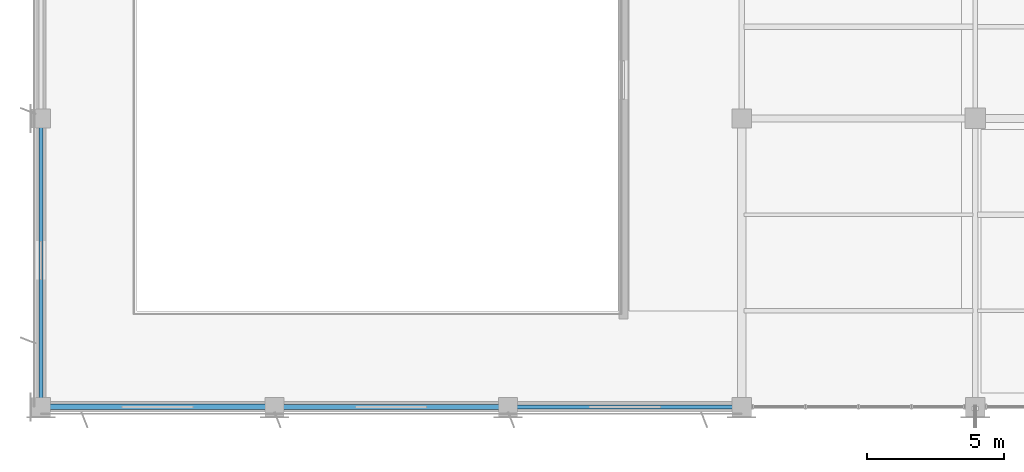
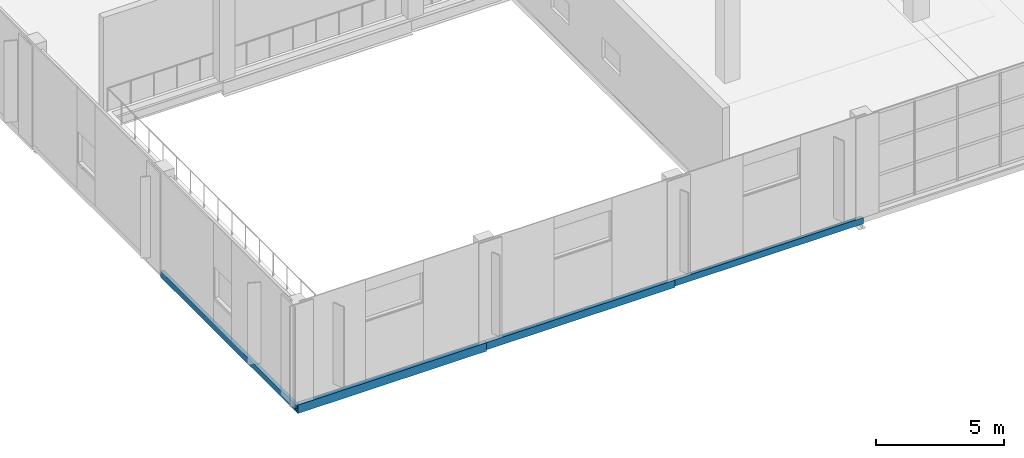
# One storey, part 7 of 101: 4 beams.
"""IFC4 building model written with IfcOpenShell, lengths in metres."""

from ifc_helpers import new_model, si_unit, direction, frame, origin, origin_2d, place, context, subcontext, project, spatial, hollow_rectangle, extrude, material, material_profile, profile_set, type_object, element, save


model = new_model("IFC4")

# Units and contexts
model_context = context("Model", 3, precision=1e-05, world=origin(), true_north=direction((0.0, 1.0)))
body_context = subcontext(model_context, "Body", "Model", "MODEL_VIEW")
ifc_project = project(units=[si_unit("LENGTHUNIT", "METRE"), si_unit("AREAUNIT", "SQUARE_METRE"), si_unit("VOLUMEUNIT", "CUBIC_METRE"), si_unit("PLANEANGLEUNIT", "RADIAN"), si_unit("MASSUNIT", "GRAM", prefix="KILO")], contexts=[model_context])

# Site, building, storey
site_placement = place(None, origin())
site = spatial("IfcSite", under=ifc_project, at=site_placement, CompositionType="ELEMENT")
building_placement = place(site_placement, origin())
building = spatial("IfcBuilding", under=site, at=building_placement, Name="Solvikara Media Centre", CompositionType="ELEMENT")
storey_placement = place(building_placement, frame((0.0, 0.0, 10.199951171875)))
storey = spatial("IfcBuildingStorey", under=building, at=storey_placement, Name="L02", CompositionType="ELEMENT", Elevation=10.199951171875)

# Beams
ifc_material = material(Name="Steel S355JR", Category="steel")
ifc_material_profile_1 = material_profile(ifc_material, hollow_rectangle(XDim=0.199951171875, YDim=0.39990234375, WallThickness=0.011962890625, at=origin_2d()), Name="RHS 400x200x12")
ifc_profile_set_1 = profile_set([ifc_material_profile_1], Name="Steel S355JR")
beam_type_1 = type_object("IfcBeamType", Name="BM-33", PredefinedType="SPANDREL", material=ifc_profile_set_1)
beam_1_placement = place(storey_placement, frame((0.0, 0.0, -0.4619140625), z_axis=(1.0, 0.0, 0.0), x_axis=(0.0, 1.0, 0.0)))
element("IfcBeam", 1, at=beam_1_placement, inside=storey, type_object=beam_type_1, Name="B-L02-X0819", PredefinedType="SPANDREL", context=body_context, shape_type="SweptSolid", body=[
    extrude(hollow_rectangle(XDim=0.199951171875, YDim=0.39990234375, WallThickness=0.011962890625, at=origin_2d()), origin(), (0.0, 0.0, 1.0), 8.5),
])
ifc_material_profile_2 = material_profile(ifc_material, hollow_rectangle(XDim=0.175048828125, YDim=0.35009765625, WallThickness=0.010009765625, at=origin_2d()), Name="RHS 350x175x10")
ifc_profile_set_2 = profile_set([ifc_material_profile_2], Name="Steel S355JR")
beam_type_2 = type_object("IfcBeamType", Name="BM-34", PredefinedType="SPANDREL", material=ifc_profile_set_2)
beam_2_placement = place(storey_placement, frame((8.5, 0.0, -0.43701171875), z_axis=(1.0, 0.0, 0.0), x_axis=(0.0, 1.0, 0.0)))
element("IfcBeam", 2, at=beam_2_placement, inside=storey, type_object=beam_type_2, Name="B-L02-X0820", PredefinedType="SPANDREL", context=body_context, shape_type="SweptSolid", body=[
    extrude(hollow_rectangle(XDim=0.175048828125, YDim=0.35009765625, WallThickness=0.010009765625, at=origin_2d()), origin(), (0.0, 0.0, 1.0), 8.5),
])
ifc_material_profile_3 = material_profile(ifc_material, hollow_rectangle(XDim=0.14990234375, YDim=0.300048828125, WallThickness=0.010009765625, at=origin_2d()), Name="RHS 300x150x10")
ifc_profile_set_3 = profile_set([ifc_material_profile_3], Name="Steel S355JR")
beam_type_3 = type_object("IfcBeamType", Name="BM-35", PredefinedType="BEAM", material=ifc_profile_set_3)
beam_3_placement = place(storey_placement, frame((17.0, 0.0, -0.411865234375), z_axis=(1.0, 0.0, 0.0), x_axis=(0.0, 1.0, 0.0)))
element("IfcBeam", 3, at=beam_3_placement, inside=storey, type_object=beam_type_3, Name="B-L02-X0821", PredefinedType="BEAM", context=body_context, shape_type="SweptSolid", body=[
    extrude(hollow_rectangle(XDim=0.14990234375, YDim=0.300048828125, WallThickness=0.010009765625, at=origin_2d()), origin(), (0.0, 0.0, 1.0), 8.5),
])
beam_4_placement = place(storey_placement, frame((0.0, 0.0, -0.411865234375), z_axis=(0.0, 1.0, 0.0), x_axis=(-1.0, 0.0, 0.0)))
element("IfcBeam", 4, at=beam_4_placement, inside=storey, type_object=beam_type_3, Name="B-L02-Y0909", PredefinedType="BEAM", context=body_context, shape_type="SweptSolid", body=[
    extrude(hollow_rectangle(XDim=0.14990234375, YDim=0.300048828125, WallThickness=0.010009765625, at=origin_2d()), origin(), (0.0, 0.0, 1.0), 10.5),
])

save(model, "model.ifc")
